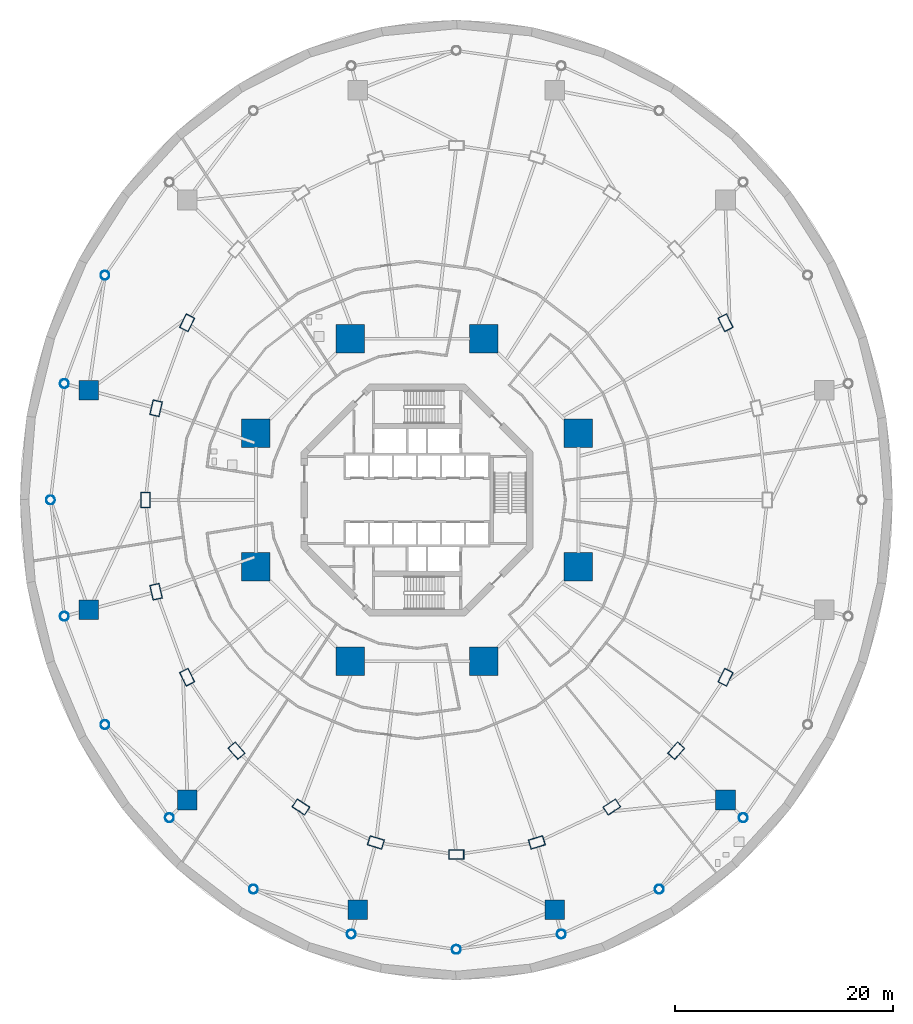
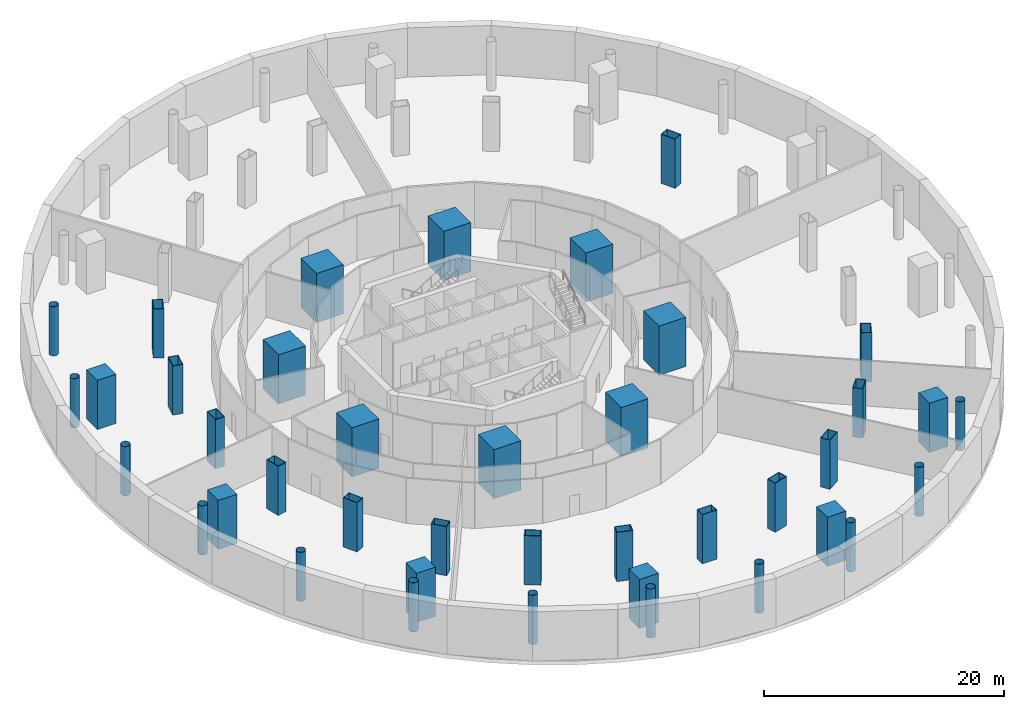
# One storey, part 1 of 14: 40 columns.
"""IFC4 building model written with IfcOpenShell, lengths in metres."""

from ifc_helpers import new_model, si_unit, direction, frame, origin, origin_2d, place, context, subcontext, project, spatial, rectangle, hollow_rectangle, hollow_circle, extrude, material, material_profile, profile_set, type_object, element, save


model = new_model("IFC4")

# Units and contexts
model_context = context("Model", 3, precision=1e-05, world=origin(), true_north=direction((0.0, 1.0)))
body_context = subcontext(model_context, "Body", "Model", "MODEL_VIEW")
ifc_project = project(units=[si_unit("LENGTHUNIT", "METRE"), si_unit("AREAUNIT", "SQUARE_METRE"), si_unit("VOLUMEUNIT", "CUBIC_METRE"), si_unit("PLANEANGLEUNIT", "RADIAN"), si_unit("MASSUNIT", "GRAM", prefix="KILO")], contexts=[model_context])

# Site, building, storey
site_placement = place(None, origin())
site = spatial("IfcSite", under=ifc_project, at=site_placement, CompositionType="ELEMENT")
building_placement = place(site_placement, origin())
building = spatial("IfcBuilding", under=site, at=building_placement, Name="Nagisa Residences", CompositionType="ELEMENT")
storey_placement = place(building_placement, frame((0.0, 0.0, -5.0)))
storey = spatial("IfcBuildingStorey", under=building, at=storey_placement, Name="B1", CompositionType="ELEMENT", Elevation=-5.0)

# Columns
ifc_material_1 = material(Name="Steel ASTM A572 Gr 65", Category="steel")
ifc_material_profile_1 = material_profile(ifc_material_1, hollow_circle(Radius=0.406494140625, WallThickness=0.02490234375, at=origin_2d()), Name="CHS 813x25")
ifc_profile_set_1 = profile_set([ifc_material_profile_1], Name="Steel ASTM A572 Gr 65")
column_type_1 = type_object("IfcColumnType", Name="Atrium column CHS 813x25", PredefinedType="COLUMN", material=ifc_profile_set_1)
for number, where, z_axis, x_axis, name in (
    (1, (-28.6162109375, 20.60009765625, 0.0), (0.0, 0.0, 1.0), (1.0, 0.0, 0.0), "col:B1:a10"),
    (2, (-32.33251953125, 10.663330078125, 0.0), (0.0, 0.0, 1.0), (1.0, 0.0, 0.0), "col:B1:a11"),
    (3, (-33.60009765625, 0.0, 0.0), (0.0, 0.0, 1.0), (1.0, 0.0, 0.0), "col:B1:a12"),
    (4, (-32.33251953125, -10.663330078125, 0.0), (0.0, 0.0, 1.0), (1.0, 0.0, 0.0), "col:B1:a13"),
    (5, (-28.6162109375, -20.60009765625, 0.0), (0.0, 0.0, 1.0), (1.0, 0.0, 0.0), "col:B1:a14"),
    (6, (-22.704345703125, -29.1328125, 0.0), (0.0, 0.0, 1.0), (1.0, 0.0, 0.0), "col:B1:a15"),
    (7, (-15.0, -35.68017578125, 0.0), (0.0, 0.0, 1.0), (1.0, 0.0, 0.0), "col:B1:a16"),
    (8, (-6.028076171875, -39.796142578125, 0.0), (0.0, 0.0, 1.0), (1.0, 0.0, 0.0), "col:B1:a17"),
    (9, (3.60009765625, -41.199951171875, 0.0), (0.0, 0.0, 1.0), (1.0, 0.0, 0.0), "col:B1:a18"),
    (10, (13.22802734375, -39.796142578125, 0.0), (0.0, 0.0, 1.0), (1.0, 0.0, 0.0), "col:B1:a19"),
    (11, (22.199951171875, -35.68017578125, 0.0), (0.0, 0.0, 1.0), (1.0, 0.0, 0.0), "col:B1:a20"),
    (12, (29.904296875, -29.1328125, 0.0), (0.0, 0.0, 1.0), (1.0, 0.0, 0.0), "col:B1:a21"),
):
    element("IfcColumn", number, at=place(storey_placement, frame(where, z_axis=z_axis, x_axis=x_axis)), inside=storey, type_object=column_type_1, Name=name, PredefinedType="COLUMN", context=body_context, shape_type="SweptSolid", body=[
        extrude(hollow_circle(Radius=0.406494140625, WallThickness=0.02490234375, at=origin_2d()), origin(), (0.0, 0.0, 1.0), 5.0),
    ])
ifc_material_2 = material(Name="Concrete C80", Category="concrete")
ifc_material_profile_2 = material_profile(ifc_material_2, rectangle(XDim=1.800048828125, YDim=1.800048828125, at=origin_2d()), Name="C80 1800x1800")
ifc_profile_set_2 = profile_set([ifc_material_profile_2], Name="Concrete C80")
column_type_2 = type_object("IfcColumnType", Name="Cage foot column C80 1800x1800", PredefinedType="COLUMN", material=ifc_profile_set_2)
for number, where, z_axis, x_axis, name in (
    (13, (-30.11083984375, 10.068115234375, 0.0), (0.0, 0.0, 1.0), (1.0, 0.0, 0.0), "col:B1:f06"),
    (14, (-30.11083984375, -10.068115234375, 0.0), (0.0, 0.0, 1.0), (1.0, 0.0, 0.0), "col:B1:f07"),
    (15, (-21.078125, -27.50634765625, 0.0), (0.0, 0.0, 1.0), (1.0, 0.0, 0.0), "col:B1:f08"),
    (16, (-5.432861328125, -37.574462890625, 0.0), (0.0, 0.0, 1.0), (1.0, 0.0, 0.0), "col:B1:f09"),
    (17, (12.6328125, -37.574462890625, 0.0), (0.0, 0.0, 1.0), (1.0, 0.0, 0.0), "col:B1:f10"),
    (18, (28.278076171875, -27.50634765625, 0.0), (0.0, 0.0, 1.0), (1.0, 0.0, 0.0), "col:B1:f11"),
):
    element("IfcColumn", number, at=place(storey_placement, frame(where, z_axis=z_axis, x_axis=x_axis)), inside=storey, type_object=column_type_2, Name=name, PredefinedType="COLUMN", context=body_context, shape_type="SweptSolid", body=[
        extrude(rectangle(XDim=1.800048828125, YDim=1.800048828125, at=origin_2d()), origin(), (0.0, 0.0, 1.0), 5.0),
    ])
ifc_material_3 = material(Name="Concrete C80", Category="concrete")
ifc_material_profile_3 = material_profile(ifc_material_3, rectangle(XDim=2.60009765625, YDim=2.60009765625, at=origin_2d()), Name="C80 2600x2600")
ifc_profile_set_3 = profile_set([ifc_material_profile_3], Name="Concrete C80")
column_type_3 = type_object("IfcColumnType", Name="Inner megacolumn C80 2600x2600", PredefinedType="COLUMN", material=ifc_profile_set_3)
for number, where, z_axis, x_axis, name in (
    (19, (14.781982421875, 6.123046875, 0.0), (0.0, 0.0, 1.0), (1.0, 0.0, 0.0), "col:B1:i1"),
    (20, (6.123046875, 14.781982421875, 0.0), (0.0, 0.0, 1.0), (1.0, 0.0, 0.0), "col:B1:i2"),
    (21, (-6.123046875, 14.781982421875, 0.0), (0.0, 0.0, 1.0), (1.0, 0.0, 0.0), "col:B1:i3"),
    (22, (-14.781982421875, 6.123046875, 0.0), (0.0, 0.0, 1.0), (1.0, 0.0, 0.0), "col:B1:i4"),
    (23, (-14.781982421875, -6.123046875, 0.0), (0.0, 0.0, 1.0), (1.0, 0.0, 0.0), "col:B1:i5"),
    (24, (-6.123046875, -14.781982421875, 0.0), (0.0, 0.0, 1.0), (1.0, 0.0, 0.0), "col:B1:i6"),
    (25, (6.123046875, -14.781982421875, 0.0), (0.0, 0.0, 1.0), (1.0, 0.0, 0.0), "col:B1:i7"),
    (26, (14.781982421875, -6.123046875, 0.0), (0.0, 0.0, 1.0), (1.0, 0.0, 0.0), "col:B1:i8"),
):
    element("IfcColumn", number, at=place(storey_placement, frame(where, z_axis=z_axis, x_axis=x_axis)), inside=storey, type_object=column_type_3, Name=name, PredefinedType="COLUMN", context=body_context, shape_type="SweptSolid", body=[
        extrude(rectangle(XDim=2.60009765625, YDim=2.60009765625, at=origin_2d()), origin(), (0.0, 0.0, 1.0), 5.0),
    ])
ifc_material_4 = material(Name="Steel ASTM A572 Gr 50", Category="steel")
ifc_material_profile_4 = material_profile(ifc_material_4, hollow_rectangle(XDim=1.39990234375, YDim=0.89990234375, WallThickness=0.050048828125, at=origin_2d()), Name="BX 1400x900x50")
ifc_profile_set_4 = profile_set([ifc_material_profile_4], Name="Steel ASTM A572 Gr 50")
column_type_4 = type_object("IfcColumnType", Name="Perimeter column BX 1400x900x50", PredefinedType="COLUMN", material=ifc_profile_set_4)
for number, where, z_axis, x_axis, name in (
    (27, (28.28173828125, 16.25, 0.0), (0.0, 0.0, 1.0), (-0.452462697578, 0.891783329795, 0.0), "col:B1:p02"),
    (28, (-21.081787109375, 16.25, 0.0), (0.0, 0.0, 1.0), (-0.452462697578, -0.891783329795, 0.0), "col:B1:p10"),
    (29, (-23.928955078125, 8.41162109375, 0.0), (0.0, 0.0, 1.0), (-0.229202013103, -0.973378876486, 0.0), "col:B1:p11"),
    (30, (-24.89990234375, 0.0, 0.0), (0.0, 0.0, 1.0), (0.0, -1.0, 0.0), "col:B1:p12"),
    (31, (-23.928955078125, -8.41162109375, 0.0), (0.0, 0.0, 1.0), (0.229202013103, -0.973378876486, 0.0), "col:B1:p13"),
    (32, (-21.081787109375, -16.25, 0.0), (0.0, 0.0, 1.0), (0.452462697578, -0.891783329795, 0.0), "col:B1:p14"),
    (33, (-16.552490234375, -22.98095703125, 0.0), (0.0, 0.0, 1.0), (0.660114607735, -0.751164898445, 0.0), "col:B1:p15"),
    (34, (-10.64990234375, -28.145751953125, 0.0), (0.0, 0.0, 1.0), (0.835766105673, -0.54908561865, 0.0), "col:B1:p16"),
    (35, (-3.7763671875, -31.392578125, 0.0), (0.0, 0.0, 1.0), (0.956524583408, -0.291651712384, 0.0), "col:B1:p17"),
    (36, (3.60009765625, -32.5, 0.0), (0.0, 0.0, 1.0), (1.0, 0.0, 0.0), "col:B1:p18"),
    (37, (10.976318359375, -31.392578125, 0.0), (0.0, 0.0, 1.0), (0.956524583408, 0.291651712384, 0.0), "col:B1:p19"),
    (38, (17.85009765625, -28.145751953125, 0.0), (0.0, 0.0, 1.0), (0.835766105673, 0.54908561865, 0.0), "col:B1:p20"),
    (39, (23.75244140625, -22.98095703125, 0.0), (0.0, 0.0, 1.0), (0.660114607735, 0.751164898445, 0.0), "col:B1:p21"),
    (40, (28.28173828125, -16.25, 0.0), (0.0, 0.0, 1.0), (0.452462697578, 0.891783329795, 0.0), "col:B1:p22"),
):
    element("IfcColumn", number, at=place(storey_placement, frame(where, z_axis=z_axis, x_axis=x_axis)), inside=storey, type_object=column_type_4, Name=name, PredefinedType="COLUMN", context=body_context, shape_type="SweptSolid", body=[
        extrude(hollow_rectangle(XDim=1.39990234375, YDim=0.89990234375, WallThickness=0.050048828125, at=origin_2d()), origin(), (0.0, 0.0, 1.0), 5.0),
    ])

save(model, "model.ifc")
